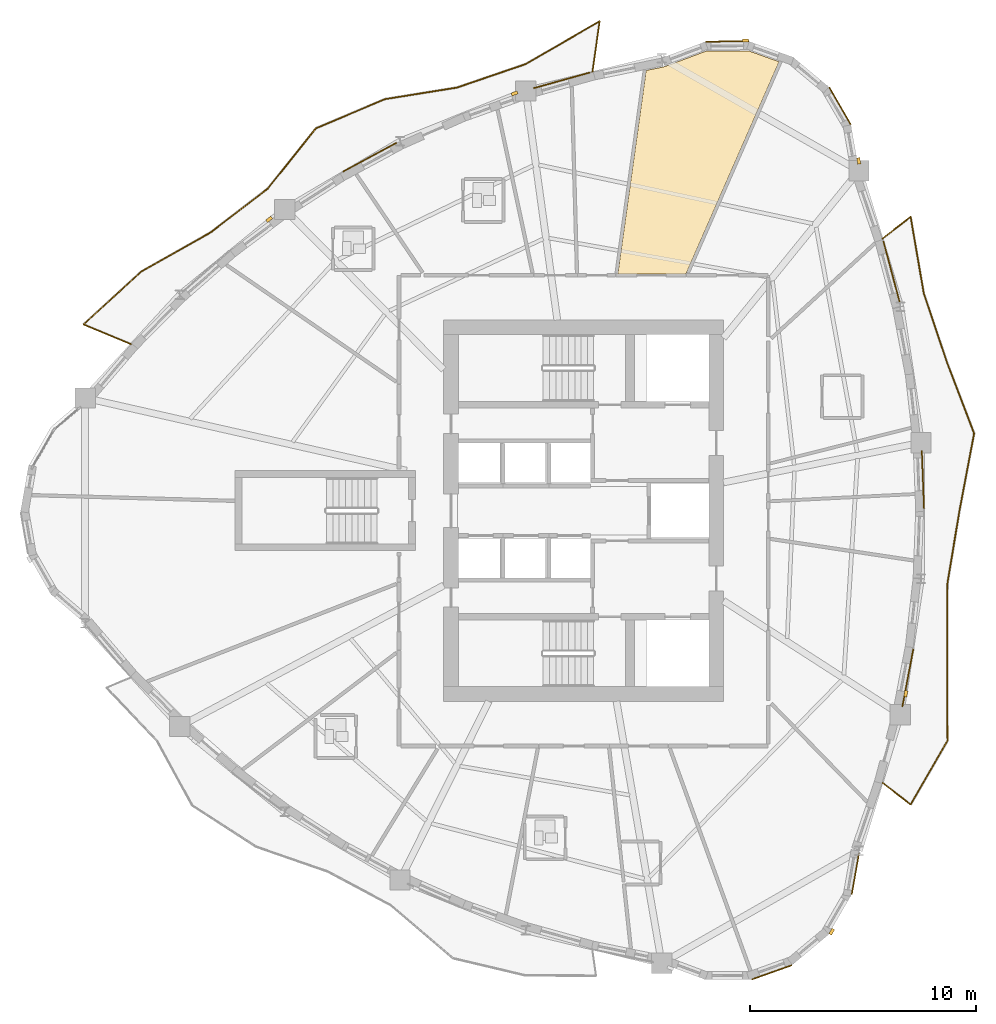
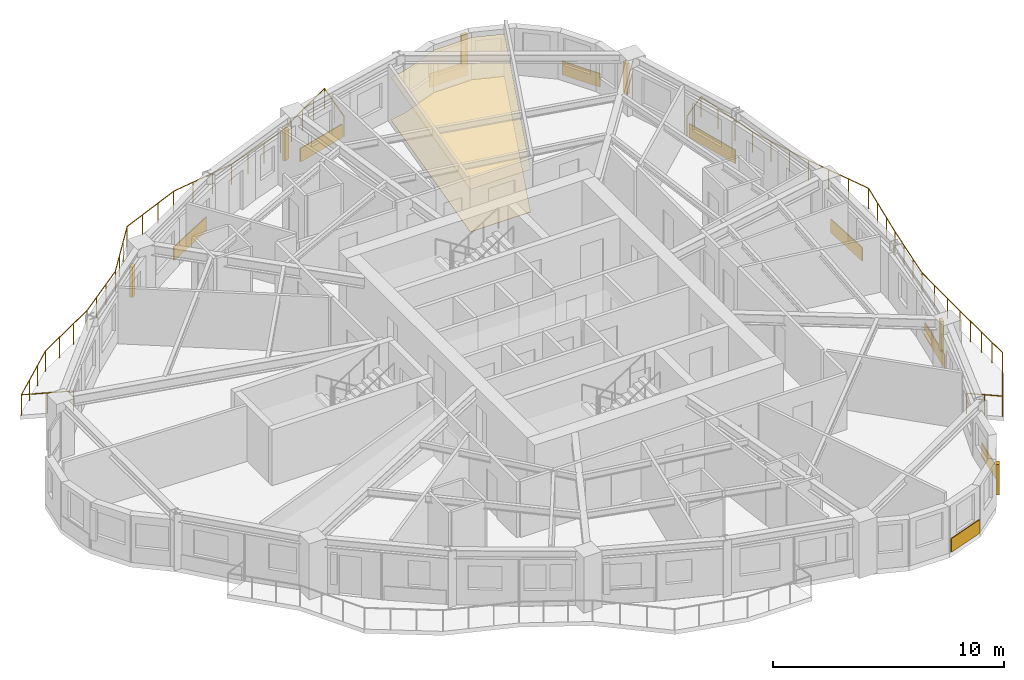
# One storey, part 13 of 14: 11 coverings, 6 shading devices, 2 railings.
"""IFC4 building model written with IfcOpenShell, lengths in metres."""

import ifcopenshell
import ifcopenshell.guid

model = None  # the IFC model being written
_history = None  # IfcOwnerHistory: only IFC2X3 demands one
_inside = {}  # id of a spatial element -> (the spatial element, [elements in it])
_under = {}  # id of a project, library or spatial element -> (it, [spatial elements below it])
_declared = {}  # id of a project -> (the project, [libraries it declares])
_typed = {}  # id of a type object -> (the type object, [elements of that type])
_made_of = {}  # id of a material, layer set ... -> (it, [elements and type objects made of it])


def new_model(schema):
    """Start an empty IFC model of exactly this schema.

    Asked for "IFC4X3", IfcOpenShell would pick the latest addendum, in which some entities
    have other attributes; the version numbers below select the first issue.
    IFC2X3 requires an IfcOwnerHistory on every rooted entity: one is made here for all.
    """
    global model, _history
    if schema == "IFC4X3":
        model = ifcopenshell.file(schema_version=(4, 3, 0, 0))
    else:
        model = ifcopenshell.file(schema=schema)
    _inside.clear()
    _under.clear()
    _declared.clear()
    _typed.clear()
    _made_of.clear()
    _history = None
    if model.schema == "IFC2X3":
        org = make("IfcOrganization", Name="unknown")
        user = make(
            "IfcPersonAndOrganization",
            ThePerson=make("IfcPerson", FamilyName="unknown"),
            TheOrganization=org,
        )
        app = make(
            "IfcApplication",
            ApplicationDeveloper=org,
            Version="unknown",
            ApplicationFullName="unknown",
            ApplicationIdentifier="unknown",
        )
        _history = make(
            "IfcOwnerHistory",
            OwningUser=user,
            OwningApplication=app,
            ChangeAction="ADDED",
            CreationDate=0,
        )
    return model


def make(cls, **values):
    """One entity of the class cls with the attributes given. An attribute that is None is left unset."""
    return model.create_entity(
        cls, **{name: value for name, value in values.items() if value is not None}
    )


def rooted(cls, **values):
    """An entity with a GlobalId (a new one), such as an element, a storey or a relation."""
    return make(cls, GlobalId=ifcopenshell.guid.new(), OwnerHistory=_history, **values)


def si_unit(unit_type, name, prefix=None):
    """IfcSIUnit, for example si_unit("LENGTHUNIT", "METRE", prefix="MILLI")."""
    return make("IfcSIUnit", UnitType=unit_type, Prefix=prefix, Name=name)


def assignment(units):
    """IfcUnitAssignment: the units of a project."""
    return None if units is None else make("IfcUnitAssignment", Units=units)


def point(xyz):
    """IfcCartesianPoint."""
    return None if xyz is None else make("IfcCartesianPoint", Coordinates=xyz)


def direction(xyz):
    """IfcDirection."""
    return None if xyz is None else make("IfcDirection", DirectionRatios=xyz)


def frame(location, z_axis=None, x_axis=None):
    """IfcAxis2Placement3D, a coordinate frame: its origin and axes. An axis left out is left unset."""
    return make(
        "IfcAxis2Placement3D",
        Location=point(location),
        Axis=direction(z_axis),
        RefDirection=direction(x_axis),
    )


def frame_2d(location, x_axis=None):
    """IfcAxis2Placement2D, a coordinate frame in the plane: its origin and x axis."""
    return make(
        "IfcAxis2Placement2D", Location=point(location), RefDirection=direction(x_axis)
    )


def origin():
    """The frame at (0, 0, 0) with its axes left unset."""
    return frame((0.0, 0.0, 0.0))


def origin_2d():
    """The frame at (0, 0) in the plane with its x axis left unset."""
    return frame_2d((0.0, 0.0))


def place(relative_to, where):
    """IfcLocalPlacement: puts the frame where relative to a parent placement (None: the world)."""
    return make(
        "IfcLocalPlacement", PlacementRelTo=relative_to, RelativePlacement=where
    )


def context(
    kind, dimensions, precision=None, world=None, true_north=None, identifier=None
):
    """IfcGeometricRepresentationContext, for example the 3D "Model" context."""
    return make(
        "IfcGeometricRepresentationContext",
        ContextIdentifier=identifier,
        ContextType=kind,
        CoordinateSpaceDimension=dimensions,
        Precision=precision,
        WorldCoordinateSystem=world,
        TrueNorth=true_north,
    )


def subcontext(parent, identifier, kind, view, scale=None):
    """IfcGeometricRepresentationSubContext, for example "Body" below "Model"."""
    return make(
        "IfcGeometricRepresentationSubContext",
        ContextIdentifier=identifier,
        ContextType=kind,
        ParentContext=parent,
        TargetScale=scale,
        TargetView=view,
    )


def project(units=None, contexts=None):
    """IfcProject with its units and contexts."""
    return rooted(
        "IfcProject",
        Name="project",
        RepresentationContexts=contexts,
        UnitsInContext=assignment(units),
    )


def spatial(cls, under=None, at=None, **own):
    """A site, building, storey or space (cls), placed at a placement, below another one or the project."""
    s = rooted(cls, ObjectPlacement=at, **own)
    if under is not None:
        _under.setdefault(under.id(), (under, []))[1].append(s)
    return s


def polyline(points):
    """IfcPolyline through the points."""
    return make("IfcPolyline", Points=[point(p) for p in points])


def profile(cls, at=None, kind="AREA", **sizes):
    """A parametric profile (cls). Its sizes go by their IFC names, for example OverallWidth=200.0."""
    return make(cls, ProfileType=kind, Position=at, **sizes)


def rectangle(**sizes):
    """IfcRectangleProfileDef."""
    return profile("IfcRectangleProfileDef", **sizes)


def circle(**sizes):
    """IfcCircleProfileDef."""
    return profile("IfcCircleProfileDef", **sizes)


def outline(outer, holes=None, kind="AREA"):
    """IfcArbitraryClosedProfileDef: a profile drawn as a closed curve; with holes, ...WithVoids."""
    if holes is None:
        return make("IfcArbitraryClosedProfileDef", ProfileType=kind, OuterCurve=outer)
    return make(
        "IfcArbitraryProfileDefWithVoids",
        ProfileType=kind,
        OuterCurve=outer,
        InnerCurves=holes,
    )


def extrude(swept, where, along, depth):
    """IfcExtrudedAreaSolid: the profile swept, set in the frame where, extruded along a direction by depth."""
    return make(
        "IfcExtrudedAreaSolid",
        SweptArea=swept,
        Position=where,
        ExtrudedDirection=direction(along),
        Depth=depth,
    )


def shape(context_of_items, identifier, shape_type, items):
    """IfcShapeRepresentation: the items that make up one representation, for example the "Body"."""
    return make(
        "IfcShapeRepresentation",
        ContextOfItems=context_of_items,
        RepresentationIdentifier=identifier,
        RepresentationType=shape_type,
        Items=items,
    )


def source(mapping_origin, context_of_items, identifier, shape_type, items):
    """IfcRepresentationMap: a shape defined once, which mapped items show again and again."""
    return make(
        "IfcRepresentationMap",
        MappingOrigin=mapping_origin,
        MappedRepresentation=shape(context_of_items, identifier, shape_type, items),
    )


def transform(
    local_origin,
    x_axis=None,
    y_axis=None,
    z_axis=None,
    scale=None,
    scale2=None,
    scale3=None,
    uniform=True,
):
    """IfcCartesianTransformationOperator3D, or its non-uniform kind. x_axis, y_axis, z_axis: its Axis1, 2, 3."""
    if uniform:
        return make(
            "IfcCartesianTransformationOperator3D",
            Axis1=direction(x_axis),
            Axis2=direction(y_axis),
            LocalOrigin=point(local_origin),
            Scale=scale,
            Axis3=direction(z_axis),
        )
    return make(
        "IfcCartesianTransformationOperator3DnonUniform",
        Axis1=direction(x_axis),
        Axis2=direction(y_axis),
        LocalOrigin=point(local_origin),
        Scale=scale,
        Axis3=direction(z_axis),
        Scale2=scale2,
        Scale3=scale3,
    )


def mapped(mapping_source, mapping_target):
    """IfcMappedItem: shows the shape of a source again, moved by a transform."""
    return make(
        "IfcMappedItem", MappingSource=mapping_source, MappingTarget=mapping_target
    )


def material(Name=None, Category=None):
    """IfcMaterial."""
    return make("IfcMaterial", Name=Name, Category=Category)


def layer(
    of_material, thickness, ventilated=None, Name=None, Category=None, Priority=None
):
    """IfcMaterialLayer: one layer of a wall or slab, of a material (None: an air gap)."""
    return make(
        "IfcMaterialLayer",
        Material=of_material,
        LayerThickness=thickness,
        IsVentilated=ventilated,
        Name=Name,
        Category=Category,
        Priority=Priority,
    )


def layer_set(layers, Name=None):
    """IfcMaterialLayerSet."""
    return make("IfcMaterialLayerSet", MaterialLayers=layers, LayerSetName=Name)


def made_of(thing, what):
    """Note that an element or type object is made of a material, layer set ...; save() writes the relation."""
    if what is not None:
        _made_of.setdefault(what.id(), (what, []))[1].append(thing)
    return thing


def type_object(cls, material=None, **own):
    """A type object (cls), such as IfcWallType, which elements share."""
    return made_of(rooted(cls, **own), material)


def element(
    cls,
    number,
    at=None,
    inside=None,
    cuts=None,
    type_object=None,
    material=None,
    context=None,
    identifier="Body",
    shape_type=None,
    held_by="IfcProductDefinitionShape",
    body=None,
    shapes=None,
    **own,
):
    """One element of the class cls, such as IfcWall. Its Tag is "e" and its number.

    at: its placement. inside: the storey or other place that contains it. cuts: it is an
    opening in that element (IfcRelVoidsElement). A single representation is given by context,
    identifier, shape_type and body (its items); several are given by shapes. held_by: the class
    of the entity that holds the representations. save() writes the other relations.
    """
    e = rooted(cls, Tag="e%d" % number, ObjectPlacement=at, **own)
    if body is not None:
        shapes = [shape(context, identifier, shape_type, body)]
    if shapes is not None:
        e.Representation = make(held_by, Representations=shapes)
    if inside is not None:
        _inside.setdefault(inside.id(), (inside, []))[1].append(e)
    if cuts is not None:
        rooted(
            "IfcRelVoidsElement", RelatingBuildingElement=cuts, RelatedOpeningElement=e
        )
    if type_object is not None:
        _typed.setdefault(type_object.id(), (type_object, []))[1].append(e)
    return made_of(e, material)


def aggregate(whole, parts):
    """IfcRelAggregates: a whole, such as a stair, and the parts it consists of."""
    return rooted("IfcRelAggregates", RelatingObject=whole, RelatedObjects=parts)


def save(model, path):
    """Write the relations noted so far, then the file.

    IfcRelAggregates (storeys below a building ...), IfcRelContainedInSpatialStructure (elements
    in a storey), IfcRelDefinesByType, IfcRelAssociatesMaterial and IfcRelDeclares: one each for
    every whole, place, type object, material and project.
    """
    for whole, parts in _under.values():
        aggregate(whole, parts)
    for where, things in _inside.values():
        rooted(
            "IfcRelContainedInSpatialStructure",
            RelatedElements=things,
            RelatingStructure=where,
        )
    for kind, things in _typed.values():
        rooted("IfcRelDefinesByType", RelatedObjects=things, RelatingType=kind)
    for what, things in _made_of.values():
        rooted("IfcRelAssociatesMaterial", RelatedObjects=things, RelatingMaterial=what)
    for by, libraries in _declared.values():
        rooted("IfcRelDeclares", RelatingContext=by, RelatedDefinitions=libraries)
    model.write(path)


model = new_model("IFC4")

# Units and contexts
model_context = context("Model", 3, precision=1e-05, world=origin(), true_north=direction((0.0, 1.0)))
body_context = subcontext(model_context, "Body", "Model", "MODEL_VIEW")
ifc_project = project(units=[si_unit("LENGTHUNIT", "METRE"), si_unit("AREAUNIT", "SQUARE_METRE"), si_unit("VOLUMEUNIT", "CUBIC_METRE"), si_unit("PLANEANGLEUNIT", "RADIAN"), si_unit("MASSUNIT", "GRAM", prefix="KILO")], contexts=[model_context])

# Site, building, storey
site_placement = place(None, origin())
site = spatial("IfcSite", under=ifc_project, at=site_placement, CompositionType="ELEMENT")
building_placement = place(site_placement, origin())
building = spatial("IfcBuilding", under=site, at=building_placement, Name="Qafzar Sky-Pleat Residences", CompositionType="ELEMENT")
storey_placement = place(building_placement, frame((0.0, 0.0, 73.60009765625)))
storey = spatial("IfcBuildingStorey", under=building, at=storey_placement, Name="L21", CompositionType="ELEMENT", Elevation=73.60009765625)

# Coverings
ifc_material_1 = material(Name="Perforated acoustic gypsum board ceiling")
ifc_layer_1 = layer(ifc_material_1, 0.02001953125)
ifc_layer_set_1 = layer_set([ifc_layer_1], Name="Perforated acoustic gypsum board ceiling")
covering_type_1 = type_object("IfcCoveringType", Name="COV-CEIL-ACOUSTIC", PredefinedType="CEILING", material=ifc_layer_set_1)
covering_1_placement = place(storey_placement, frame((0.0, 0.0, 2.239990234375)))
element("IfcCovering", 1, at=covering_1_placement, inside=storey, type_object=covering_type_1, Name="L21 Co-Living Lounge Acoustic Ceiling", PredefinedType="CEILING", context=body_context, shape_type="SweptSolid", body=[
    extrude(outline(polyline([(33.925537109375, 45.677734375), (35.783203125, 46.371337890625), (37.66455078125, 46.38427734375), (39.015380859375, 45.900634765625), (34.88671875, 36.489990234375), (31.869140625, 36.489990234375), (33.123779296875, 45.5126953125), (33.925537109375, 45.677734375)])), origin(), (0.0, 0.0, 1.0), 0.02001953125),
])
ifc_material_2 = material(Name="Honed porcelain and Riyadh stone tile flooring", Category="masonry")
ifc_layer_2 = layer(ifc_material_2, 0.02001953125)
ifc_layer_set_2 = layer_set([ifc_layer_2], Name="Honed porcelain and Riyadh stone tile flooring")
covering_type_2 = type_object("IfcCoveringType", Name="COV-FLR-PORCELAIN", PredefinedType="FLOORING", material=ifc_layer_set_2)
covering_2_placement = place(storey_placement, origin())
element("IfcCovering", 2, at=covering_2_placement, inside=storey, type_object=covering_type_2, Name="L21 Co-Living Lounge Honed Stone Flooring", PredefinedType="FLOORING", context=body_context, shape_type="SweptSolid", body=[
    extrude(outline(polyline([(33.925537109375, 45.677734375), (35.783203125, 46.371337890625), (37.66455078125, 46.38427734375), (39.015380859375, 45.900634765625), (34.88671875, 36.489990234375), (31.869140625, 36.489990234375), (33.123779296875, 45.5126953125), (33.925537109375, 45.677734375)])), origin(), (0.0, 0.0, 1.0), 0.02001953125),
])

# Shading devices
ifc_material_3 = material(Name="Honed Riyadh limestone solar fin", Category="masonry")
ifc_layer_3 = layer(ifc_material_3, 0.139892578125)
ifc_layer_set_3 = layer_set([ifc_layer_3], Name="Honed Riyadh limestone solar fin")
shading_device_type = type_object("IfcShadingDeviceType", Name="SHD-FIN-STONE", PredefinedType="SHUTTER", material=ifc_layer_set_3)
shared_shape_1 = source(origin(), body_context, "Body", "SweptSolid", [
    extrude(rectangle(XDim=0.139892578125, YDim=0.280029296875, at=origin_2d()), origin(), (0.0, 0.0, 1.0), 1.60009765625),
])
for number, where, z_axis, x_axis, name in (
    (3, (41.351806640625, 7.337646484375, 0.599853515625), (0.0, 0.0, 1.0), (0.86489556585, -0.501951850453, 0.0), "L21 Limestone Solar Fin 21"),
    (4, (44.63427734375, 17.88623046875, 0.599853515625), (0.0, 0.0, 1.0), (0.982421223161, -0.186677637342, 0.0), "L21 Limestone Solar Fin 25"),
    (5, (42.54833984375, 41.50439453125, 0.599853515625), (0.0, 0.0, 1.0), (0.984675881773, 0.174394403163, 0.0), "L21 Limestone Solar Fin 33"),
    (6, (37.525634765625, 46.848388671875, 0.599853515625), (0.0, 0.0, 1.0), (-0.006821730637, 0.999976731725, 0.0), "L21 Limestone Solar Fin 37"),
    (7, (27.291015625, 44.494873046875, 0.599853515625), (0.0, 0.0, 1.0), (-0.338106168567, 0.941107974027, 0.0), "L21 Limestone Solar Fin 41"),
    (8, (16.415771484375, 38.91552734375, 0.599853515625), (0.0, 0.0, 1.0), (-0.602146421463, 0.798385675672, 0.0), "L21 Limestone Solar Fin 45"),
):
    element("IfcShadingDevice", number, at=place(storey_placement, frame(where, z_axis=z_axis, x_axis=x_axis)), inside=storey, type_object=shading_device_type, Name=name, PredefinedType="SHUTTER", context=body_context, shape_type="MappedRepresentation", body=[
        mapped(shared_shape_1, transform((0.0, 0.0, 0.0), x_axis=(1.0, 0.0, 0.0), y_axis=(0.0, 1.0, 0.0), z_axis=(0.0, 0.0, 1.0), scale=1.0)),
    ])

# Railings
ifc_material_4 = material(Name="Laminated glass and bronze steel balustrade", Category="steel")
railing_type = type_object("IfcRailingType", Name="RAIL-BAL-1100", PredefinedType="BALUSTRADE", material=ifc_material_4)
shared_shape_2 = source(origin(), body_context, "Body", "SweptSolid", [
    extrude(circle(Radius=0.02392578125, at=origin_2d()), frame((0.0, 0.0, 1.076171875), z_axis=(0.791131848435, -0.611645647734, 0.0), x_axis=(0.611645647734, 0.791131848435, 0.0)), (0.0, 0.0, 1.0), 1.577880859375),
    extrude(circle(Radius=0.02392578125, at=origin_2d()), frame((1.248291015625, -0.965087890625, 1.076171875), z_axis=(0.500441754194, 0.865770206614, 0.0), x_axis=(-0.865770206614, 0.500441754194, 0.0)), (0.0, 0.0, 1.0), 3.2705078125),
    extrude(circle(Radius=0.02392578125, at=origin_2d()), frame((2.885009765625, 1.866455078125, 1.076171875), z_axis=(-0.006110959696, 0.999981327911, 0.0), x_axis=(-0.999981327911, -0.006110959696, 0.0)), (0.0, 0.0, 1.0), 3.635498046875),
    extrude(circle(Radius=0.02392578125, at=origin_2d()), frame((2.86279296875, 5.501953125, 1.076171875), z_axis=(0.005333841997, 0.999985774964, 0.0), x_axis=(-0.999985774964, 0.005333841997, 0.0)), (0.0, 0.0, 1.0), 3.34130859375),
    extrude(circle(Radius=0.02392578125, at=origin_2d()), frame((2.880615234375, 8.84326171875, 1.076171875), z_axis=(0.163124173712, 0.98660554628, 0.0), x_axis=(-0.98660554628, 0.163124173712, 0.0)), (0.0, 0.0, 1.0), 3.26123046875),
    extrude(circle(Radius=0.02392578125, at=origin_2d()), frame((3.41259765625, 12.060791015625, 1.076171875), z_axis=(0.186580850105, 0.98243960953, 0.0), x_axis=(-0.98243960953, 0.186580850105, 0.0)), (0.0, 0.0, 1.0), 3.484619140625),
    extrude(circle(Radius=0.02392578125, at=origin_2d()), frame((4.062744140625, 15.484130859375, 1.076171875), z_axis=(-0.357419219766, 0.933944056859, 0.0), x_axis=(-0.933944056859, -0.357419219766, 0.0)), (0.0, 0.0, 1.0), 3.357177734375),
    extrude(circle(Radius=0.02392578125, at=origin_2d()), frame((2.86279296875, 18.61962890625, 1.076171875), z_axis=(-0.319065686008, 0.947732603645, 0.0), x_axis=(-0.947732603645, -0.319065686008, 0.0)), (0.0, 0.0, 1.0), 3.224365234375),
    extrude(circle(Radius=0.02392578125, at=origin_2d()), frame((1.833984375, 21.675537109375, 1.076171875), z_axis=(-0.16922420673, 0.985577580841, 0.0), x_axis=(-0.985577580841, -0.16922420673, 0.0)), (0.0, 0.0, 1.0), 3.4609375),
    extrude(circle(Radius=0.02392578125, at=origin_2d()), frame((1.248291015625, 25.086669921875, 1.076171875), z_axis=(-0.791131848435, -0.611645647734, 0.0), x_axis=(0.611645647734, -0.791131848435, 0.0)), (0.0, 0.0, 1.0), 1.577880859375),
    extrude(circle(Radius=0.02099609375, at=origin_2d()), origin(), (0.0, 0.0, 1.0), 1.052001953125),
    extrude(circle(Radius=0.02099609375, at=origin_2d()), frame((0.6240234375, -0.482421875, 0.0)), (0.0, 0.0, 1.0), 1.052001953125),
    extrude(circle(Radius=0.02099609375, at=origin_2d()), frame((1.248291015625, -0.965087890625, 0.0)), (0.0, 0.0, 1.0), 1.052001953125),
    extrude(circle(Radius=0.02099609375, at=origin_2d()), frame((1.7939453125, -0.021240234375, 0.0)), (0.0, 0.0, 1.0), 1.052001953125),
    extrude(circle(Radius=0.02099609375, at=origin_2d()), frame((2.33935546875, 0.922607421875, 0.0)), (0.0, 0.0, 1.0), 1.052001953125),
    extrude(circle(Radius=0.02099609375, at=origin_2d()), frame((2.885009765625, 1.866455078125, 0.0)), (0.0, 0.0, 1.0), 1.052001953125),
    extrude(circle(Radius=0.02099609375, at=origin_2d()), frame((2.87939453125, 2.775390625, 0.0)), (0.0, 0.0, 1.0), 1.052001953125),
    extrude(circle(Radius=0.02099609375, at=origin_2d()), frame((2.8740234375, 3.68408203125, 0.0)), (0.0, 0.0, 1.0), 1.052001953125),
    extrude(circle(Radius=0.02099609375, at=origin_2d()), frame((2.868408203125, 4.593017578125, 0.0)), (0.0, 0.0, 1.0), 1.052001953125),
    extrude(circle(Radius=0.02099609375, at=origin_2d()), frame((2.86279296875, 5.501953125, 0.0)), (0.0, 0.0, 1.0), 1.052001953125),
    extrude(circle(Radius=0.02099609375, at=origin_2d()), frame((2.86865234375, 6.61572265625, 0.0)), (0.0, 0.0, 1.0), 1.052001953125),
    extrude(circle(Radius=0.02099609375, at=origin_2d()), frame((2.874755859375, 7.7294921875, 0.0)), (0.0, 0.0, 1.0), 1.052001953125),
    extrude(circle(Radius=0.02099609375, at=origin_2d()), frame((2.880615234375, 8.84326171875, 0.0)), (0.0, 0.0, 1.0), 1.052001953125),
    extrude(circle(Radius=0.02099609375, at=origin_2d()), frame((3.057861328125, 9.915771484375, 0.0)), (0.0, 0.0, 1.0), 1.052001953125),
    extrude(circle(Radius=0.02099609375, at=origin_2d()), frame((3.2353515625, 10.98828125, 0.0)), (0.0, 0.0, 1.0), 1.052001953125),
    extrude(circle(Radius=0.02099609375, at=origin_2d()), frame((3.41259765625, 12.060791015625, 0.0)), (0.0, 0.0, 1.0), 1.052001953125),
    extrude(circle(Radius=0.02099609375, at=origin_2d()), frame((3.62939453125, 13.201904296875, 0.0)), (0.0, 0.0, 1.0), 1.052001953125),
    extrude(circle(Radius=0.02099609375, at=origin_2d()), frame((3.845947265625, 14.343017578125, 0.0)), (0.0, 0.0, 1.0), 1.052001953125),
    extrude(circle(Radius=0.02099609375, at=origin_2d()), frame((4.062744140625, 15.484130859375, 0.0)), (0.0, 0.0, 1.0), 1.052001953125),
    extrude(circle(Radius=0.02099609375, at=origin_2d()), frame((3.662841796875, 16.529296875, 0.0)), (0.0, 0.0, 1.0), 1.052001953125),
    extrude(circle(Radius=0.02099609375, at=origin_2d()), frame((3.2626953125, 17.574462890625, 0.0)), (0.0, 0.0, 1.0), 1.052001953125),
    extrude(circle(Radius=0.02099609375, at=origin_2d()), frame((2.86279296875, 18.61962890625, 0.0)), (0.0, 0.0, 1.0), 1.052001953125),
    extrude(circle(Radius=0.02099609375, at=origin_2d()), frame((2.519775390625, 19.63818359375, 0.0)), (0.0, 0.0, 1.0), 1.052001953125),
    extrude(circle(Radius=0.02099609375, at=origin_2d()), frame((2.177001953125, 20.656982421875, 0.0)), (0.0, 0.0, 1.0), 1.052001953125),
    extrude(circle(Radius=0.02099609375, at=origin_2d()), frame((1.833984375, 21.675537109375, 0.0)), (0.0, 0.0, 1.0), 1.052001953125),
    extrude(circle(Radius=0.02099609375, at=origin_2d()), frame((1.638671875, 22.8125, 0.0)), (0.0, 0.0, 1.0), 1.052001953125),
    extrude(circle(Radius=0.02099609375, at=origin_2d()), frame((1.443603515625, 23.94970703125, 0.0)), (0.0, 0.0, 1.0), 1.052001953125),
    extrude(circle(Radius=0.02099609375, at=origin_2d()), frame((1.248291015625, 25.086669921875, 0.0)), (0.0, 0.0, 1.0), 1.052001953125),
    extrude(circle(Radius=0.02099609375, at=origin_2d()), frame((0.6240234375, 24.60400390625, 0.0)), (0.0, 0.0, 1.0), 1.052001953125),
    extrude(circle(Radius=0.02099609375, at=origin_2d()), frame((0.0, 24.12158203125, 0.0)), (0.0, 0.0, 1.0), 1.052001953125),
])
railing_1_placement = place(storey_placement, frame((43.60009765625, 13.939208984375, 0.0)))
element("IfcRailing", 9, at=railing_1_placement, inside=storey, type_object=railing_type, Name="L21 Pleated Balcony 1 Balustrade", PredefinedType="BALUSTRADE", context=body_context, shape_type="MappedRepresentation", body=[
    mapped(shared_shape_2, transform((0.0, 0.0, 0.0), x_axis=(1.0, 0.0, 0.0), y_axis=(0.0, 1.0, 0.0), z_axis=(0.0, 0.0, 1.0), scale=1.0)),
])
shared_shape_3 = source(origin(), body_context, "Body", "SweptSolid", [
    extrude(circle(Radius=0.02392578125, at=origin_2d()), frame((0.0, 0.0, 1.076171875), z_axis=(0.139765475122, 0.99018463529, 0.0), x_axis=(-0.99018463529, 0.139765475122, 0.0)), (0.0, 0.0, 1.0), 2.270751953125),
    extrude(circle(Radius=0.02392578125, at=origin_2d()), frame((0.3173828125, 2.24853515625, 1.076171875), z_axis=(-0.866210203027, -0.499679781632, 0.0), x_axis=(0.499679781632, -0.866210203027, 0.0)), (0.0, 0.0, 1.0), 3.79736328125),
    extrude(circle(Radius=0.02392578125, at=origin_2d()), frame((-2.971923828125, 0.35107421875, 1.076171875), z_axis=(-0.94604605287, -0.324032198785, 0.0), x_axis=(0.324032198785, -0.94604605287, 0.0)), (0.0, 0.0, 1.0), 3.205078125),
    extrude(circle(Radius=0.02392578125, at=origin_2d()), frame((-6.004150390625, -0.6875, 1.076171875), z_axis=(-0.987375407196, -0.15839761761, 0.0), x_axis=(0.15839761761, -0.987375407196, 0.0)), (0.0, 0.0, 1.0), 3.2275390625),
    extrude(circle(Radius=0.02392578125, at=origin_2d()), frame((-9.19091796875, -1.19873046875, 1.076171875), z_axis=(-0.9212553998, -0.388958208988, 0.0), x_axis=(0.388958208988, -0.9212553998, 0.0)), (0.0, 0.0, 1.0), 3.329833984375),
    extrude(circle(Radius=0.02392578125, at=origin_2d()), frame((-12.258544921875, -2.493896484375, 1.076171875), z_axis=(-0.623963443988, -0.781453530651, 0.0), x_axis=(0.781453530651, -0.623963443988, 0.0)), (0.0, 0.0, 1.0), 3.419677734375),
    extrude(circle(Radius=0.02392578125, at=origin_2d()), frame((-14.392333984375, -5.166259765625, 1.076171875), z_axis=(-0.793631020152, -0.608399378576, 0.0), x_axis=(0.608399378576, -0.793631020152, 0.0)), (0.0, 0.0, 1.0), 3.18701171875),
    extrude(circle(Radius=0.02392578125, at=origin_2d()), frame((-16.921630859375, -7.105224609375, 1.076171875), z_axis=(-0.870867386328, -0.491518051988, 0.0), x_axis=(0.491518051988, -0.870867386328, 0.0)), (0.0, 0.0, 1.0), 3.521728515625),
    extrude(circle(Radius=0.02392578125, at=origin_2d()), frame((-19.988525390625, -8.836181640625, 1.076171875), z_axis=(-0.73749173285, -0.675356160835, 0.0), x_axis=(0.675356160835, -0.73749173285, 0.0)), (0.0, 0.0, 1.0), 3.481201171875),
    extrude(circle(Radius=0.02392578125, at=origin_2d()), frame((-22.555908203125, -11.187255859375, 1.076171875), z_axis=(0.923057837801, -0.384661186076, 0.0), x_axis=(0.384661186076, 0.923057837801, 0.0)), (0.0, 0.0, 1.0), 2.27099609375),
    extrude(circle(Radius=0.02099609375, at=origin_2d()), origin(), (0.0, 0.0, 1.0), 1.052001953125),
    extrude(circle(Radius=0.02099609375, at=origin_2d()), frame((0.15869140625, 1.124267578125, 0.0)), (0.0, 0.0, 1.0), 1.052001953125),
    extrude(circle(Radius=0.02099609375, at=origin_2d()), frame((0.3173828125, 2.24853515625, 0.0)), (0.0, 0.0, 1.0), 1.052001953125),
    extrude(circle(Radius=0.02099609375, at=origin_2d()), frame((-0.5048828125, 1.774169921875, 0.0)), (0.0, 0.0, 1.0), 1.052001953125),
    extrude(circle(Radius=0.02099609375, at=origin_2d()), frame((-1.3271484375, 1.2998046875, 0.0)), (0.0, 0.0, 1.0), 1.052001953125),
    extrude(circle(Radius=0.02099609375, at=origin_2d()), frame((-2.149658203125, 0.825439453125, 0.0)), (0.0, 0.0, 1.0), 1.052001953125),
    extrude(circle(Radius=0.02099609375, at=origin_2d()), frame((-2.971923828125, 0.35107421875, 0.0)), (0.0, 0.0, 1.0), 1.052001953125),
    extrude(circle(Radius=0.02099609375, at=origin_2d()), frame((-3.982666015625, 0.0048828125, 0.0)), (0.0, 0.0, 1.0), 1.052001953125),
    extrude(circle(Radius=0.02099609375, at=origin_2d()), frame((-4.993408203125, -0.34130859375, 0.0)), (0.0, 0.0, 1.0), 1.052001953125),
    extrude(circle(Radius=0.02099609375, at=origin_2d()), frame((-6.004150390625, -0.6875, 0.0)), (0.0, 0.0, 1.0), 1.052001953125),
    extrude(circle(Radius=0.02099609375, at=origin_2d()), frame((-7.06640625, -0.85791015625, 0.0)), (0.0, 0.0, 1.0), 1.052001953125),
    extrude(circle(Radius=0.02099609375, at=origin_2d()), frame((-8.128662109375, -1.0283203125, 0.0)), (0.0, 0.0, 1.0), 1.052001953125),
    extrude(circle(Radius=0.02099609375, at=origin_2d()), frame((-9.19091796875, -1.19873046875, 0.0)), (0.0, 0.0, 1.0), 1.052001953125),
    extrude(circle(Radius=0.02099609375, at=origin_2d()), frame((-10.21337890625, -1.63037109375, 0.0)), (0.0, 0.0, 1.0), 1.052001953125),
    extrude(circle(Radius=0.02099609375, at=origin_2d()), frame((-11.236083984375, -2.062255859375, 0.0)), (0.0, 0.0, 1.0), 1.052001953125),
    extrude(circle(Radius=0.02099609375, at=origin_2d()), frame((-12.258544921875, -2.493896484375, 0.0)), (0.0, 0.0, 1.0), 1.052001953125),
    extrude(circle(Radius=0.02099609375, at=origin_2d()), frame((-12.9697265625, -3.384765625, 0.0)), (0.0, 0.0, 1.0), 1.052001953125),
    extrude(circle(Radius=0.02099609375, at=origin_2d()), frame((-13.68115234375, -4.275390625, 0.0)), (0.0, 0.0, 1.0), 1.052001953125),
    extrude(circle(Radius=0.02099609375, at=origin_2d()), frame((-14.392333984375, -5.166259765625, 0.0)), (0.0, 0.0, 1.0), 1.052001953125),
    extrude(circle(Radius=0.02099609375, at=origin_2d()), frame((-15.2353515625, -5.8125, 0.0)), (0.0, 0.0, 1.0), 1.052001953125),
    extrude(circle(Radius=0.02099609375, at=origin_2d()), frame((-16.07861328125, -6.458984375, 0.0)), (0.0, 0.0, 1.0), 1.052001953125),
    extrude(circle(Radius=0.02099609375, at=origin_2d()), frame((-16.921630859375, -7.105224609375, 0.0)), (0.0, 0.0, 1.0), 1.052001953125),
    extrude(circle(Radius=0.02099609375, at=origin_2d()), frame((-17.94384765625, -7.68212890625, 0.0)), (0.0, 0.0, 1.0), 1.052001953125),
    extrude(circle(Radius=0.02099609375, at=origin_2d()), frame((-18.96630859375, -8.25927734375, 0.0)), (0.0, 0.0, 1.0), 1.052001953125),
    extrude(circle(Radius=0.02099609375, at=origin_2d()), frame((-19.988525390625, -8.836181640625, 0.0)), (0.0, 0.0, 1.0), 1.052001953125),
    extrude(circle(Radius=0.02099609375, at=origin_2d()), frame((-20.84423828125, -9.619873046875, 0.0)), (0.0, 0.0, 1.0), 1.052001953125),
    extrude(circle(Radius=0.02099609375, at=origin_2d()), frame((-21.7001953125, -10.403564453125, 0.0)), (0.0, 0.0, 1.0), 1.052001953125),
    extrude(circle(Radius=0.02099609375, at=origin_2d()), frame((-22.555908203125, -11.187255859375, 0.0)), (0.0, 0.0, 1.0), 1.052001953125),
    extrude(circle(Radius=0.02099609375, at=origin_2d()), frame((-21.5078125, -11.6240234375, 0.0)), (0.0, 0.0, 1.0), 1.052001953125),
    extrude(circle(Radius=0.02099609375, at=origin_2d()), frame((-20.459716796875, -12.060791015625, 0.0)), (0.0, 0.0, 1.0), 1.052001953125),
])
railing_2_placement = place(storey_placement, frame((30.7451171875, 45.442626953125, 0.0)))
element("IfcRailing", 10, at=railing_2_placement, inside=storey, type_object=railing_type, Name="L21 Pleated Balcony 2 Balustrade", PredefinedType="BALUSTRADE", context=body_context, shape_type="MappedRepresentation", body=[
    mapped(shared_shape_3, transform((0.0, 0.0, 0.0), x_axis=(1.0, 0.0, 0.0), y_axis=(0.0, 1.0, 0.0), z_axis=(0.0, 0.0, 1.0), scale=1.0)),
])

# Coverings
ifc_material_5 = material(Name="Honed Riyadh Tuwaiq limestone cladding", Category="masonry")
ifc_layer_4 = layer(ifc_material_5, 0.044921875)
ifc_layer_set_4 = layer_set([ifc_layer_4], Name="Honed Riyadh Tuwaiq limestone cladding")
covering_type_3 = type_object("IfcCoveringType", Name="COV-CLAD-STONE", PredefinedType="CLADDING", material=ifc_layer_set_4)
shared_shape_4 = source(origin(), body_context, "Body", "SweptSolid", [
    extrude(rectangle(XDim=1.88916015625, YDim=0.044921875, at=origin_2d()), origin(), (0.0, 0.0, 1.0), 0.719970703125),
])
for number, where, z_axis, x_axis, name in (
    (11, (38.6923828125, 5.535400390625, 0.02001953125), (0.0, 0.0, 1.0), (0.941498066035, 0.337018384741, 0.0), "L21 Riyadh Limestone Spandrel Cladding 19"),
    (12, (36.720947265625, 46.7998046875, 0.02001953125), (0.0, 0.0, 1.0), (-0.999976465978, -0.006860575119, 0.0), "L21 Riyadh Limestone Spandrel Cladding 37"),
):
    element("IfcCovering", number, at=place(storey_placement, frame(where, z_axis=z_axis, x_axis=x_axis)), inside=storey, type_object=covering_type_3, Name=name, PredefinedType="CLADDING", context=body_context, shape_type="MappedRepresentation", body=[
        mapped(shared_shape_4, transform((0.0, 0.0, 0.0), x_axis=(1.0, 0.0, 0.0), y_axis=(0.0, 1.0, 0.0), z_axis=(0.0, 0.0, 1.0), scale=1.0)),
    ])
shared_shape_5 = source(origin(), body_context, "Body", "SweptSolid", [
    extrude(rectangle(XDim=1.8369140625, YDim=0.044921875, at=origin_2d()), origin(), (0.0, 0.0, 1.0), 0.719970703125),
])
covering_3_placement = place(storey_placement, frame((42.400146484375, 9.90478515625, 0.02001953125), z_axis=(0.0, 0.0, 1.0), x_axis=(0.174377861823, 0.984678811241, 0.0)))
element("IfcCovering", 13, at=covering_3_placement, inside=storey, type_object=covering_type_3, Name="L21 Riyadh Limestone Spandrel Cladding 22", PredefinedType="CLADDING", context=body_context, shape_type="MappedRepresentation", body=[
    mapped(shared_shape_5, transform((0.0, 0.0, 0.0), x_axis=(1.0, 0.0, 0.0), y_axis=(0.0, 1.0, 0.0), z_axis=(0.0, 0.0, 1.0), scale=1.0)),
])
shared_shape_6 = source(origin(), body_context, "Body", "SweptSolid", [
    extrude(rectangle(XDim=2.59228515625, YDim=0.044921875, at=origin_2d()), origin(), (0.0, 0.0, 1.0), 0.719970703125),
])
covering_4_placement = place(storey_placement, frame((44.724609375, 18.591796875, 0.02001953125), z_axis=(0.0, 0.0, 1.0), x_axis=(0.186679745657, 0.982420822541, 0.0)))
element("IfcCovering", 14, at=covering_4_placement, inside=storey, type_object=covering_type_3, Name="L21 Riyadh Limestone Spandrel Cladding 25", PredefinedType="CLADDING", context=body_context, shape_type="MappedRepresentation", body=[
    mapped(shared_shape_6, transform((0.0, 0.0, 0.0), x_axis=(1.0, 0.0, 0.0), y_axis=(0.0, 1.0, 0.0), z_axis=(0.0, 0.0, 1.0), scale=1.0)),
])
shared_shape_7 = source(origin(), body_context, "Body", "SweptSolid", [
    extrude(rectangle(XDim=2.545654296875, YDim=0.044921875, at=origin_2d()), origin(), (0.0, 0.0, 1.0), 0.719970703125),
])
covering_5_placement = place(storey_placement, frame((45.392578125, 27.376220703125, 0.02001953125), z_axis=(0.0, 0.0, 1.0), x_axis=(-0.037970122477, 0.999278874889, 0.0)))
element("IfcCovering", 15, at=covering_5_placement, inside=storey, type_object=covering_type_3, Name="L21 Riyadh Limestone Spandrel Cladding 28", PredefinedType="CLADDING", context=body_context, shape_type="MappedRepresentation", body=[
    mapped(shared_shape_7, transform((0.0, 0.0, 0.0), x_axis=(1.0, 0.0, 0.0), y_axis=(0.0, 1.0, 0.0), z_axis=(0.0, 0.0, 1.0), scale=1.0)),
])
shared_shape_8 = source(origin(), body_context, "Body", "SweptSolid", [
    extrude(rectangle(XDim=2.822509765625, YDim=0.044921875, at=origin_2d()), origin(), (0.0, 0.0, 1.0), 0.719970703125),
])
covering_6_placement = place(storey_placement, frame((44.005126953125, 36.580322265625, 0.02001953125), z_axis=(0.0, 0.0, 1.0), x_axis=(-0.257033474852, 0.966402500413, 0.0)))
element("IfcCovering", 16, at=covering_6_placement, inside=storey, type_object=covering_type_3, Name="L21 Riyadh Limestone Spandrel Cladding 31", PredefinedType="CLADDING", context=body_context, shape_type="MappedRepresentation", body=[
    mapped(shared_shape_8, transform((0.0, 0.0, 0.0), x_axis=(1.0, 0.0, 0.0), y_axis=(0.0, 1.0, 0.0), z_axis=(0.0, 0.0, 1.0), scale=1.0)),
])
shared_shape_9 = source(origin(), body_context, "Body", "SweptSolid", [
    extrude(rectangle(XDim=1.888916015625, YDim=0.044921875, at=origin_2d()), origin(), (0.0, 0.0, 1.0), 0.719970703125),
])
covering_7_placement = place(storey_placement, frame((41.718505859375, 43.944580078125, 0.02001953125), z_axis=(0.0, 0.0, 1.0), x_axis=(-0.501941253562, 0.864901715788, 0.0)))
element("IfcCovering", 17, at=covering_7_placement, inside=storey, type_object=covering_type_3, Name="L21 Riyadh Limestone Spandrel Cladding 34", PredefinedType="CLADDING", context=body_context, shape_type="MappedRepresentation", body=[
    mapped(shared_shape_9, transform((0.0, 0.0, 0.0), x_axis=(1.0, 0.0, 0.0), y_axis=(0.0, 1.0, 0.0), z_axis=(0.0, 0.0, 1.0), scale=1.0)),
])
shared_shape_10 = source(origin(), body_context, "Body", "SweptSolid", [
    extrude(rectangle(XDim=2.5947265625, YDim=0.044921875, at=origin_2d()), origin(), (0.0, 0.0, 1.0), 0.719970703125),
])
covering_8_placement = place(storey_placement, frame((29.3857421875, 45.073974609375, 0.02001953125), z_axis=(0.0, 0.0, 1.0), x_axis=(-0.963055825024, -0.269301834169, 0.0)))
element("IfcCovering", 18, at=covering_8_placement, inside=storey, type_object=covering_type_3, Name="L21 Riyadh Limestone Spandrel Cladding 40", PredefinedType="CLADDING", context=body_context, shape_type="MappedRepresentation", body=[
    mapped(shared_shape_10, transform((0.0, 0.0, 0.0), x_axis=(1.0, 0.0, 0.0), y_axis=(0.0, 1.0, 0.0), z_axis=(0.0, 0.0, 1.0), scale=1.0)),
])
shared_shape_11 = source(origin(), body_context, "Body", "SweptSolid", [
    extrude(rectangle(XDim=2.688232421875, YDim=0.044921875, at=origin_2d()), origin(), (0.0, 0.0, 1.0), 0.719970703125),
])
covering_9_placement = place(storey_placement, frame((20.87451171875, 41.668212890625, 0.02001953125), z_axis=(0.0, 0.0, 1.0), x_axis=(-0.880123649841, -0.474744521812, 0.0)))
element("IfcCovering", 19, at=covering_9_placement, inside=storey, type_object=covering_type_3, Name="L21 Riyadh Limestone Spandrel Cladding 43", PredefinedType="CLADDING", context=body_context, shape_type="MappedRepresentation", body=[
    mapped(shared_shape_11, transform((0.0, 0.0, 0.0), x_axis=(1.0, 0.0, 0.0), y_axis=(0.0, 1.0, 0.0), z_axis=(0.0, 0.0, 1.0), scale=1.0)),
])

save(model, "model.ifc")
